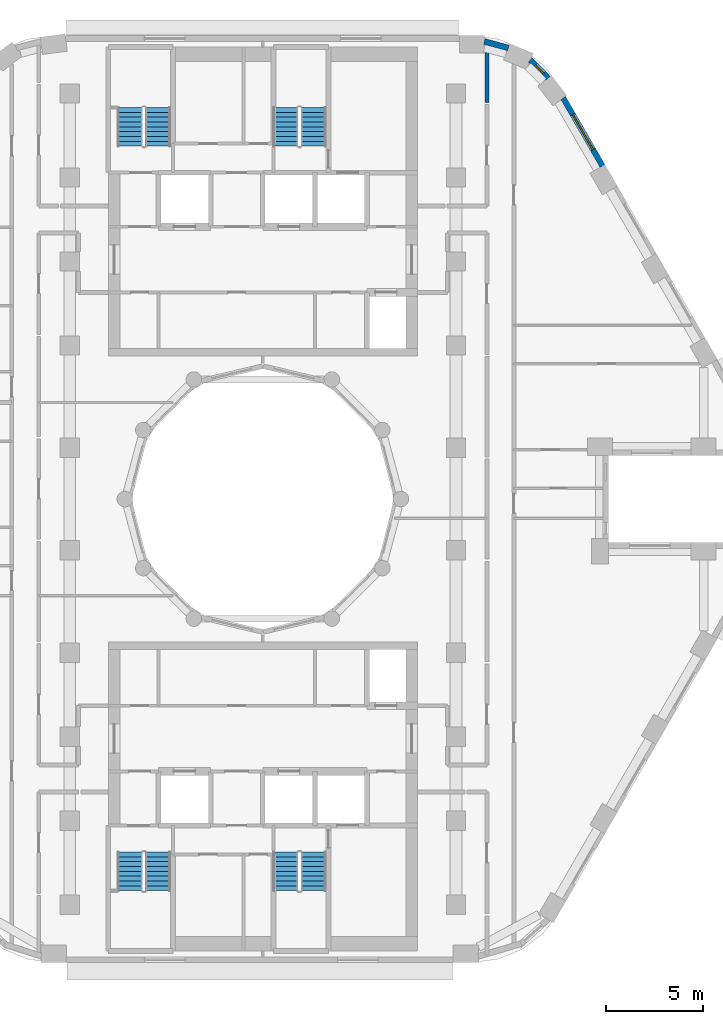
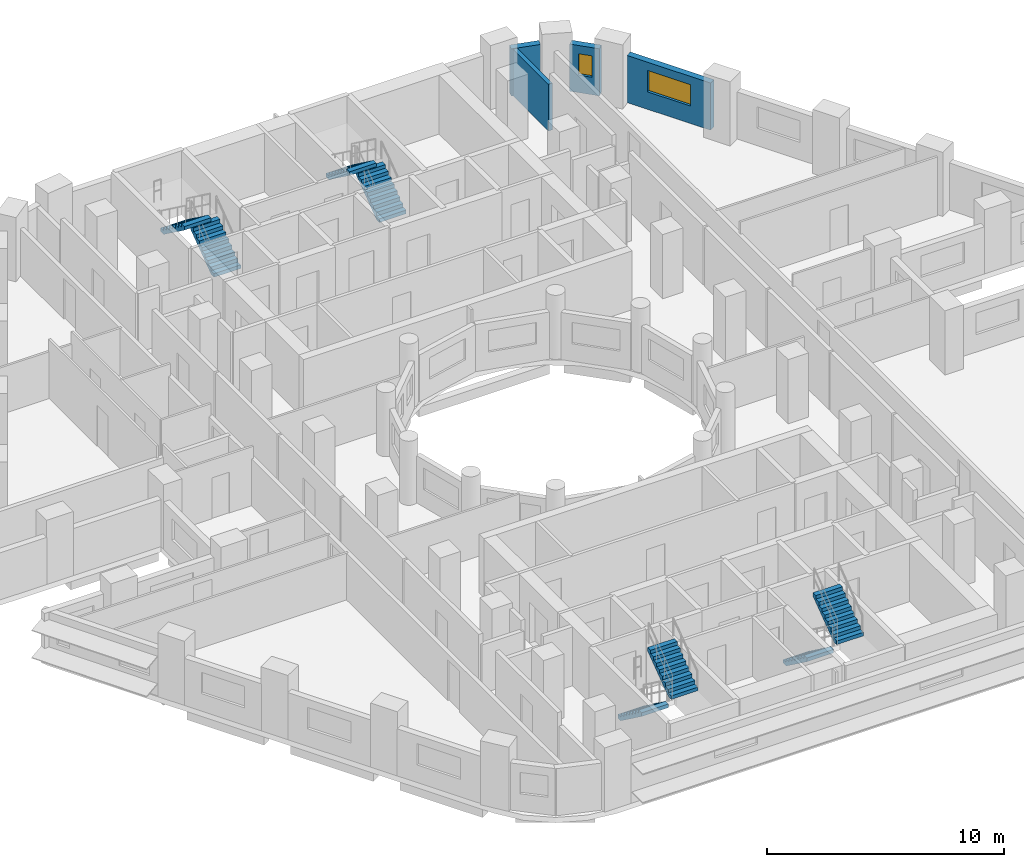
# One storey, part 9 of 13: 8 stair flights, 4 walls, 2 windows, 2 openings, 4 elements without a shape of their own.
"""IFC4 building model written with IfcOpenShell, lengths in metres."""

from ifc_helpers import new_model, si_unit, direction, frame, frame_2d, origin, place, context, subcontext, project, spatial, polyline, rectangle, outline, extrude, material, layer, layer_set, type_object, element, fill, aggregate, save


model = new_model("IFC4")

# Units and contexts
model_context = context("Model", 3, precision=1e-05, world=origin(), true_north=direction((0.0, 1.0)))
body_context = subcontext(model_context, "Body", "Model", "MODEL_VIEW")
ifc_project = project(units=[si_unit("LENGTHUNIT", "METRE"), si_unit("AREAUNIT", "SQUARE_METRE"), si_unit("VOLUMEUNIT", "CUBIC_METRE"), si_unit("PLANEANGLEUNIT", "RADIAN"), si_unit("MASSUNIT", "GRAM", prefix="KILO")], contexts=[model_context])

# Site, building, storey
site_placement = place(None, origin())
site = spatial("IfcSite", under=ifc_project, at=site_placement, CompositionType="ELEMENT")
building_placement = place(site_placement, origin())
building = spatial("IfcBuilding", under=site, at=building_placement, Name="Nakaniwa Court", CompositionType="ELEMENT")
storey_placement = place(building_placement, frame((0.0, 0.0, 153.60009765625)))
storey = spatial("IfcBuildingStorey", under=building, at=storey_placement, Name="L40", CompositionType="ELEMENT", Elevation=153.60009765625)

# Wall
ifc_material_1 = material(Name="Acoustic double stud partition")
ifc_layer_1 = layer(ifc_material_1, 0.199951171875)
ifc_layer_set_1 = layer_set([ifc_layer_1], Name="Acoustic double stud partition")
wall_type_1 = type_object("IfcWallType", Name="Acoustic double stud partition 200", PredefinedType="PARTITIONING", material=ifc_layer_set_1)
wall_1_placement = place(storey_placement, frame((91.60009765625, 100.537109375, 0.0), z_axis=(0.0, 0.0, 1.0), x_axis=(0.0, 1.0, 0.0)))
element("IfcWall", 1, at=wall_1_placement, inside=storey, type_object=wall_type_1, Name="Partition PW-075", PredefinedType="PARTITIONING", context=body_context, shape_type="SweptSolid", body=[
    extrude(rectangle(XDim=3.06201171875, YDim=0.199951171875, at=frame_2d((1.531005859375, 0.0))), origin(), (0.0, 0.0, 1.0), 2.40478515625),
])

# Wall, opening, window
ifc_material_2 = material(Name="Charcoal ceramic cladding")
ifc_layer_2 = layer(ifc_material_2, 0.02, Name="Ceramic cladding")
ifc_material_3 = material(Name="Ventilated air cavity")
ifc_layer_3 = layer(ifc_material_3, 0.04, ventilated=True, Name="Ventilated cavity")
ifc_material_4 = material(Name="Mineral wool insulation")
ifc_layer_4 = layer(ifc_material_4, 0.1, Name="Insulation")
ifc_material_5 = material(Name="Cement bonded sheathing board")
ifc_layer_5 = layer(ifc_material_5, 0.012, Name="Sheathing")
ifc_material_6 = material(Name="Cold-formed galvanised stud frame with mineral wool infill")
ifc_layer_6 = layer(ifc_material_6, 0.1, Name="Stud frame")
ifc_material_7 = material(Name="Fire-rated gypsum plasterboard lining")
ifc_layer_7 = layer(ifc_material_7, 0.028, Name="Lining")
ifc_layer_set_2 = layer_set([ifc_layer_2, ifc_layer_3, ifc_layer_4, ifc_layer_5, ifc_layer_6, ifc_layer_7], Name="Charcoal ceramic faced external wall system")
wall_type_2 = type_object("IfcWallType", Name="Black ceramic faced external wall 300", PredefinedType="SOLIDWALL", material=ifc_layer_set_2)
wall_2_placement = place(storey_placement, frame((97.582275390625, 97.24658203125, 0.0), z_axis=(0.0, 0.0, 1.0), x_axis=(-0.500018589245, 0.866014671013, 0.0)))
wall_2 = element("IfcWall", 2, at=wall_2_placement, inside=storey, type_object=wall_type_2, Name="L40 external wall 05", PredefinedType="SOLIDWALL", context=body_context, shape_type="SweptSolid", body=[
    extrude(rectangle(XDim=4.067626953125, YDim=0.300048828125, at=frame_2d((2.03369140625, 0.0))), origin(), (0.0, 0.0, 1.0), 2.4248046875),
])
opening_1_placement = place(wall_2_placement, frame((0.97265625, 0.0, 0.89990234375)))
opening_1 = element("IfcOpeningElement", 3, at=opening_1_placement, cuts=wall_2, Name="Opening W7.06", PredefinedType="OPENING", context=body_context, shape_type="SweptSolid", body=[
    extrude(rectangle(XDim=2.10009765625, YDim=1.10009765625, at=frame_2d((1.050048828125, 0.550048828125))), frame((0.0, 0.159912109375, 0.0), z_axis=(0.0, -1.0, 0.0), x_axis=(1.0, 0.0, 0.0)), (0.0, 0.0, 1.0), 0.320068359375),
])
ifc_material_8 = material(Name="Black anodised aluminium frame with dark low-E laminated double glazing", Category="aluminium")
window_type_1 = type_object("IfcWindowType", Name="Dark glass window 2100x1100 sill 900", PartitioningType="SINGLE_PANEL", PredefinedType="WINDOW", material=ifc_material_8)
window_1_placement = place(opening_1_placement, origin())
window_1 = element("IfcWindow", 4, at=window_1_placement, inside=storey, type_object=window_type_1, Name="L40 habitable room window 05-0", OverallHeight=1.10009765625, OverallWidth=2.10009765625, PartitioningType="SINGLE_PANEL", PredefinedType="WINDOW", context=body_context, shape_type="SweptSolid", body=[
    extrude(rectangle(XDim=2.10009765625, YDim=1.10009765625, at=frame_2d((1.050048828125, 0.550048828125))), frame((0.0, 0.030029296875, 0.0), z_axis=(0.0, -1.0, 0.0), x_axis=(1.0, 0.0, 0.0)), (0.0, 0.0, 1.0), 0.06005859375),
])
fill(opening_1, window_1)

wall_3_placement = place(storey_placement, frame((94.76318359375, 101.79541015625, 0.0), z_axis=(0.0, 0.0, 1.0), x_axis=(-0.697598997785, 0.716488407645, 0.0)))
wall_3 = element("IfcWall", 5, at=wall_3_placement, inside=storey, type_object=wall_type_2, Name="L40 external wall 06", PredefinedType="SOLIDWALL", context=body_context, shape_type="SweptSolid", body=[
    extrude(rectangle(XDim=1.305419921875, YDim=0.300048828125, at=frame_2d((0.65283203125, 0.0))), origin(), (0.0, 0.0, 1.0), 2.4248046875),
])
opening_2_placement = place(wall_3_placement, frame((0.328125, 0.0, 0.89990234375)))
opening_2 = element("IfcOpeningElement", 6, at=opening_2_placement, cuts=wall_3, Name="Opening W8.07", PredefinedType="OPENING", context=body_context, shape_type="SweptSolid", body=[
    extrude(rectangle(XDim=0.60009765625, YDim=1.10009765625, at=frame_2d((0.300048828125, 0.550048828125))), frame((0.0, 0.159912109375, 0.0), z_axis=(0.0, -1.0, 0.0), x_axis=(1.0, 0.0, 0.0)), (0.0, 0.0, 1.0), 0.320068359375),
])
window_type_2 = type_object("IfcWindowType", Name="Dark glass window 600x1100 sill 900", PartitioningType="SINGLE_PANEL", PredefinedType="WINDOW", material=ifc_material_8)
window_2_placement = place(opening_2_placement, origin())
window_2 = element("IfcWindow", 7, at=window_2_placement, inside=storey, type_object=window_type_2, Name="L40 habitable room window 06-0", OverallHeight=1.10009765625, OverallWidth=0.60009765625, PartitioningType="SINGLE_PANEL", PredefinedType="WINDOW", context=body_context, shape_type="SweptSolid", body=[
    extrude(rectangle(XDim=0.60009765625, YDim=1.10009765625, at=frame_2d((0.300048828125, 0.550048828125))), frame((0.0, 0.030029296875, 0.0), z_axis=(0.0, -1.0, 0.0), x_axis=(1.0, 0.0, 0.0)), (0.0, 0.0, 1.0), 0.06005859375),
])
fill(opening_2, window_2)

# Wall
wall_4_placement = place(storey_placement, frame((92.712890625, 103.3564453125, 0.0), z_axis=(0.0, 0.0, 1.0), x_axis=(-0.965274225809, 0.26123872031, 0.0)))
element("IfcWall", 8, at=wall_4_placement, inside=storey, type_object=wall_type_2, Name="L40 external wall 07", PredefinedType="SOLIDWALL", context=body_context, shape_type="SweptSolid", body=[
    extrude(rectangle(XDim=1.286865234375, YDim=0.300048828125, at=frame_2d((0.6435546875, 0.0))), origin(), (0.0, 0.0, 1.0), 2.4248046875),
])

# Stair, stair flights
ifc_material_9 = material(Name="Concrete C80/100", Category="concrete")
stair_type = type_object("IfcStairType", Name="Dog leg stair 1300 wide 18 risers", PredefinedType="HALF_TURN_STAIR", material=ifc_material_9)
stair_1_placement = place(storey_placement, origin())
stair_1 = element("IfcStair", 9, at=stair_1_placement, inside=storey, type_object=stair_type, Name="L40 Stair ST1", PredefinedType="HALF_TURN_STAIR")
stair_flight_type = type_object("IfcStairFlightType", Name="Stair flight 1300 wide 9 risers", PredefinedType="STRAIGHT", material=ifc_material_9)
stair_flight_1_placement = place(storey_placement, frame((74.574951171875, 98.27490234375, 0.0), z_axis=(0.0, 0.0, 1.0), x_axis=(0.0, 1.0, 0.0)))
stair_flight_1 = element("IfcStairFlight", 10, at=stair_flight_1_placement, type_object=stair_flight_type, Name="ST1 flight 1", NumberOfRisers=9, NumberOfTreads=8, PredefinedType="STRAIGHT", RiserHeight=0.183333333, TreadLength=0.25, context=body_context, shape_type="SweptSolid", body=[
    extrude(outline(polyline([(0.0, 0.0), (0.0, 0.026123046875), (0.0, 0.052490234375), (0.0, 0.07861328125), (0.0, 0.104736328125), (0.0, 0.130859375), (0.0, 0.1572265625), (0.0, 0.183349609375), (0.25, 0.183349609375), (0.25, 0.36669921875), (0.5, 0.36669921875), (0.5, 0.550048828125), (0.75, 0.550048828125), (0.75, 0.7333984375), (1.0, 0.7333984375), (1.0, 0.916748046875), (1.25, 0.916748046875), (1.25, 1.10009765625), (1.5, 1.10009765625), (1.5, 1.283447265625), (1.75, 1.283447265625), (1.75, 1.466552734375), (2.0, 1.466552734375), (2.0, 1.64990234375), (2.0, 1.59716796875), (2.0, 1.54443359375), (2.0, 1.49169921875), (2.0, 1.43896484375), (2.0, 1.38623046875), (2.0, 1.33349609375), (2.0, 1.28076171875), (0.25341796875, 0.0), (0.0, 0.0)])), frame((0.0, 0.64990234375, 0.0), z_axis=(0.0, -1.0, 0.0), x_axis=(1.0, 0.0, 0.0)), (0.0, 0.0, 1.0), 1.300048828125),
])
stair_flight_2_placement = place(storey_placement, frame((73.125, 100.27490234375, 1.64990234375), z_axis=(0.0, 0.0, 1.0), x_axis=(0.0, -1.0, 0.0)))
stair_flight_2 = element("IfcStairFlight", 11, at=stair_flight_2_placement, type_object=stair_flight_type, Name="ST1 flight 2", NumberOfRisers=9, NumberOfTreads=8, PredefinedType="STRAIGHT", RiserHeight=0.183333333, TreadLength=0.25, context=body_context, shape_type="SweptSolid", body=[
    extrude(outline(polyline([(0.0, 0.0), (0.0, 0.026123046875), (0.0, 0.052490234375), (0.0, 0.07861328125), (0.0, 0.104736328125), (0.0, 0.130859375), (0.0, 0.1572265625), (0.0, 0.183349609375), (0.25, 0.183349609375), (0.25, 0.36669921875), (0.5, 0.36669921875), (0.5, 0.550048828125), (0.75, 0.550048828125), (0.75, 0.7333984375), (1.0, 0.7333984375), (1.0, 0.916748046875), (1.25, 0.916748046875), (1.25, 1.10009765625), (1.5, 1.10009765625), (1.5, 1.283447265625), (1.75, 1.283447265625), (1.75, 1.466552734375), (2.0, 1.466552734375), (2.0, 1.64990234375), (2.0, 1.59716796875), (2.0, 1.54443359375), (2.0, 1.49169921875), (2.0, 1.43896484375), (2.0, 1.38623046875), (2.0, 1.33349609375), (2.0, 1.28076171875), (0.25341796875, 0.0), (0.0, 0.0)])), frame((0.0, 0.64990234375, 0.0), z_axis=(0.0, -1.0, 0.0), x_axis=(1.0, 0.0, 0.0)), (0.0, 0.0, 1.0), 1.300048828125),
])
aggregate(stair_1, [stair_flight_1, stair_flight_2])

stair_2_placement = place(storey_placement, origin())
stair_2 = element("IfcStair", 12, at=stair_2_placement, inside=storey, type_object=stair_type, Name="L40 Stair ST2", PredefinedType="HALF_TURN_STAIR")
stair_flight_3_placement = place(storey_placement, frame((82.625, 98.27490234375, 0.0), z_axis=(0.0, 0.0, 1.0), x_axis=(0.0, 1.0, 0.0)))
stair_flight_3 = element("IfcStairFlight", 13, at=stair_flight_3_placement, type_object=stair_flight_type, Name="ST2 flight 1", NumberOfRisers=9, NumberOfTreads=8, PredefinedType="STRAIGHT", RiserHeight=0.183333333, TreadLength=0.25, context=body_context, shape_type="SweptSolid", body=[
    extrude(outline(polyline([(0.0, 0.0), (0.0, 0.026123046875), (0.0, 0.052490234375), (0.0, 0.07861328125), (0.0, 0.104736328125), (0.0, 0.130859375), (0.0, 0.1572265625), (0.0, 0.183349609375), (0.25, 0.183349609375), (0.25, 0.36669921875), (0.5, 0.36669921875), (0.5, 0.550048828125), (0.75, 0.550048828125), (0.75, 0.7333984375), (1.0, 0.7333984375), (1.0, 0.916748046875), (1.25, 0.916748046875), (1.25, 1.10009765625), (1.5, 1.10009765625), (1.5, 1.283447265625), (1.75, 1.283447265625), (1.75, 1.466552734375), (2.0, 1.466552734375), (2.0, 1.64990234375), (2.0, 1.59716796875), (2.0, 1.54443359375), (2.0, 1.49169921875), (2.0, 1.43896484375), (2.0, 1.38623046875), (2.0, 1.33349609375), (2.0, 1.28076171875), (0.25341796875, 0.0), (0.0, 0.0)])), frame((0.0, 0.64990234375, 0.0), z_axis=(0.0, -1.0, 0.0), x_axis=(1.0, 0.0, 0.0)), (0.0, 0.0, 1.0), 1.300048828125),
])
stair_flight_4_placement = place(storey_placement, frame((81.175048828125, 100.27490234375, 1.64990234375), z_axis=(0.0, 0.0, 1.0), x_axis=(0.0, -1.0, 0.0)))
stair_flight_4 = element("IfcStairFlight", 14, at=stair_flight_4_placement, type_object=stair_flight_type, Name="ST2 flight 2", NumberOfRisers=9, NumberOfTreads=8, PredefinedType="STRAIGHT", RiserHeight=0.183333333, TreadLength=0.25, context=body_context, shape_type="SweptSolid", body=[
    extrude(outline(polyline([(0.0, 0.0), (0.0, 0.026123046875), (0.0, 0.052490234375), (0.0, 0.07861328125), (0.0, 0.104736328125), (0.0, 0.130859375), (0.0, 0.1572265625), (0.0, 0.183349609375), (0.25, 0.183349609375), (0.25, 0.36669921875), (0.5, 0.36669921875), (0.5, 0.550048828125), (0.75, 0.550048828125), (0.75, 0.7333984375), (1.0, 0.7333984375), (1.0, 0.916748046875), (1.25, 0.916748046875), (1.25, 1.10009765625), (1.5, 1.10009765625), (1.5, 1.283447265625), (1.75, 1.283447265625), (1.75, 1.466552734375), (2.0, 1.466552734375), (2.0, 1.64990234375), (2.0, 1.59716796875), (2.0, 1.54443359375), (2.0, 1.49169921875), (2.0, 1.43896484375), (2.0, 1.38623046875), (2.0, 1.33349609375), (2.0, 1.28076171875), (0.25341796875, 0.0), (0.0, 0.0)])), frame((0.0, 0.64990234375, 0.0), z_axis=(0.0, -1.0, 0.0), x_axis=(1.0, 0.0, 0.0)), (0.0, 0.0, 1.0), 1.300048828125),
])
aggregate(stair_2, [stair_flight_3, stair_flight_4])

stair_3_placement = place(storey_placement, origin())
stair_3 = element("IfcStair", 15, at=stair_3_placement, inside=storey, type_object=stair_type, Name="L40 Stair ST3", PredefinedType="HALF_TURN_STAIR")
stair_flight_5_placement = place(storey_placement, frame((73.125, 61.72509765625, 0.0), z_axis=(0.0, 0.0, 1.0), x_axis=(0.0, -1.0, 0.0)))
stair_flight_5 = element("IfcStairFlight", 16, at=stair_flight_5_placement, type_object=stair_flight_type, Name="ST3 flight 1", NumberOfRisers=9, NumberOfTreads=8, PredefinedType="STRAIGHT", RiserHeight=0.183333333, TreadLength=0.25, context=body_context, shape_type="SweptSolid", body=[
    extrude(outline(polyline([(0.0, 0.0), (0.0, 0.026123046875), (0.0, 0.052490234375), (0.0, 0.07861328125), (0.0, 0.104736328125), (0.0, 0.130859375), (0.0, 0.1572265625), (0.0, 0.183349609375), (0.25, 0.183349609375), (0.25, 0.36669921875), (0.5, 0.36669921875), (0.5, 0.550048828125), (0.75, 0.550048828125), (0.75, 0.7333984375), (1.0, 0.7333984375), (1.0, 0.916748046875), (1.25, 0.916748046875), (1.25, 1.10009765625), (1.5, 1.10009765625), (1.5, 1.283447265625), (1.75, 1.283447265625), (1.75, 1.466552734375), (2.0, 1.466552734375), (2.0, 1.64990234375), (2.0, 1.59716796875), (2.0, 1.54443359375), (2.0, 1.49169921875), (2.0, 1.43896484375), (2.0, 1.38623046875), (2.0, 1.33349609375), (2.0, 1.28076171875), (0.25341796875, 0.0), (0.0, 0.0)])), frame((0.0, 0.64990234375, 0.0), z_axis=(0.0, -1.0, 0.0), x_axis=(1.0, 0.0, 0.0)), (0.0, 0.0, 1.0), 1.300048828125),
])
stair_flight_6_placement = place(storey_placement, frame((74.574951171875, 59.72509765625, 1.64990234375), z_axis=(0.0, 0.0, 1.0), x_axis=(0.0, 1.0, 0.0)))
stair_flight_6 = element("IfcStairFlight", 17, at=stair_flight_6_placement, type_object=stair_flight_type, Name="ST3 flight 2", NumberOfRisers=9, NumberOfTreads=8, PredefinedType="STRAIGHT", RiserHeight=0.183333333, TreadLength=0.25, context=body_context, shape_type="SweptSolid", body=[
    extrude(outline(polyline([(0.0, 0.0), (0.0, 0.026123046875), (0.0, 0.052490234375), (0.0, 0.07861328125), (0.0, 0.104736328125), (0.0, 0.130859375), (0.0, 0.1572265625), (0.0, 0.183349609375), (0.25, 0.183349609375), (0.25, 0.36669921875), (0.5, 0.36669921875), (0.5, 0.550048828125), (0.75, 0.550048828125), (0.75, 0.7333984375), (1.0, 0.7333984375), (1.0, 0.916748046875), (1.25, 0.916748046875), (1.25, 1.10009765625), (1.5, 1.10009765625), (1.5, 1.283447265625), (1.75, 1.283447265625), (1.75, 1.466552734375), (2.0, 1.466552734375), (2.0, 1.64990234375), (2.0, 1.59716796875), (2.0, 1.54443359375), (2.0, 1.49169921875), (2.0, 1.43896484375), (2.0, 1.38623046875), (2.0, 1.33349609375), (2.0, 1.28076171875), (0.25341796875, 0.0), (0.0, 0.0)])), frame((0.0, 0.64990234375, 0.0), z_axis=(0.0, -1.0, 0.0), x_axis=(1.0, 0.0, 0.0)), (0.0, 0.0, 1.0), 1.300048828125),
])
aggregate(stair_3, [stair_flight_5, stair_flight_6])

stair_4_placement = place(storey_placement, origin())
stair_4 = element("IfcStair", 18, at=stair_4_placement, inside=storey, type_object=stair_type, Name="L40 Stair ST4", PredefinedType="HALF_TURN_STAIR")
stair_flight_7_placement = place(storey_placement, frame((81.175048828125, 61.72509765625, 0.0), z_axis=(0.0, 0.0, 1.0), x_axis=(0.0, -1.0, 0.0)))
stair_flight_7 = element("IfcStairFlight", 19, at=stair_flight_7_placement, type_object=stair_flight_type, Name="ST4 flight 1", NumberOfRisers=9, NumberOfTreads=8, PredefinedType="STRAIGHT", RiserHeight=0.183333333, TreadLength=0.25, context=body_context, shape_type="SweptSolid", body=[
    extrude(outline(polyline([(0.0, 0.0), (0.0, 0.026123046875), (0.0, 0.052490234375), (0.0, 0.07861328125), (0.0, 0.104736328125), (0.0, 0.130859375), (0.0, 0.1572265625), (0.0, 0.183349609375), (0.25, 0.183349609375), (0.25, 0.36669921875), (0.5, 0.36669921875), (0.5, 0.550048828125), (0.75, 0.550048828125), (0.75, 0.7333984375), (1.0, 0.7333984375), (1.0, 0.916748046875), (1.25, 0.916748046875), (1.25, 1.10009765625), (1.5, 1.10009765625), (1.5, 1.283447265625), (1.75, 1.283447265625), (1.75, 1.466552734375), (2.0, 1.466552734375), (2.0, 1.64990234375), (2.0, 1.59716796875), (2.0, 1.54443359375), (2.0, 1.49169921875), (2.0, 1.43896484375), (2.0, 1.38623046875), (2.0, 1.33349609375), (2.0, 1.28076171875), (0.25341796875, 0.0), (0.0, 0.0)])), frame((0.0, 0.64990234375, 0.0), z_axis=(0.0, -1.0, 0.0), x_axis=(1.0, 0.0, 0.0)), (0.0, 0.0, 1.0), 1.300048828125),
])
stair_flight_8_placement = place(storey_placement, frame((82.625, 59.72509765625, 1.64990234375), z_axis=(0.0, 0.0, 1.0), x_axis=(0.0, 1.0, 0.0)))
stair_flight_8 = element("IfcStairFlight", 20, at=stair_flight_8_placement, type_object=stair_flight_type, Name="ST4 flight 2", NumberOfRisers=9, NumberOfTreads=8, PredefinedType="STRAIGHT", RiserHeight=0.183333333, TreadLength=0.25, context=body_context, shape_type="SweptSolid", body=[
    extrude(outline(polyline([(0.0, 0.0), (0.0, 0.026123046875), (0.0, 0.052490234375), (0.0, 0.07861328125), (0.0, 0.104736328125), (0.0, 0.130859375), (0.0, 0.1572265625), (0.0, 0.183349609375), (0.25, 0.183349609375), (0.25, 0.36669921875), (0.5, 0.36669921875), (0.5, 0.550048828125), (0.75, 0.550048828125), (0.75, 0.7333984375), (1.0, 0.7333984375), (1.0, 0.916748046875), (1.25, 0.916748046875), (1.25, 1.10009765625), (1.5, 1.10009765625), (1.5, 1.283447265625), (1.75, 1.283447265625), (1.75, 1.466552734375), (2.0, 1.466552734375), (2.0, 1.64990234375), (2.0, 1.59716796875), (2.0, 1.54443359375), (2.0, 1.49169921875), (2.0, 1.43896484375), (2.0, 1.38623046875), (2.0, 1.33349609375), (2.0, 1.28076171875), (0.25341796875, 0.0), (0.0, 0.0)])), frame((0.0, 0.64990234375, 0.0), z_axis=(0.0, -1.0, 0.0), x_axis=(1.0, 0.0, 0.0)), (0.0, 0.0, 1.0), 1.300048828125),
])
aggregate(stair_4, [stair_flight_7, stair_flight_8])

save(model, "model.ifc")
